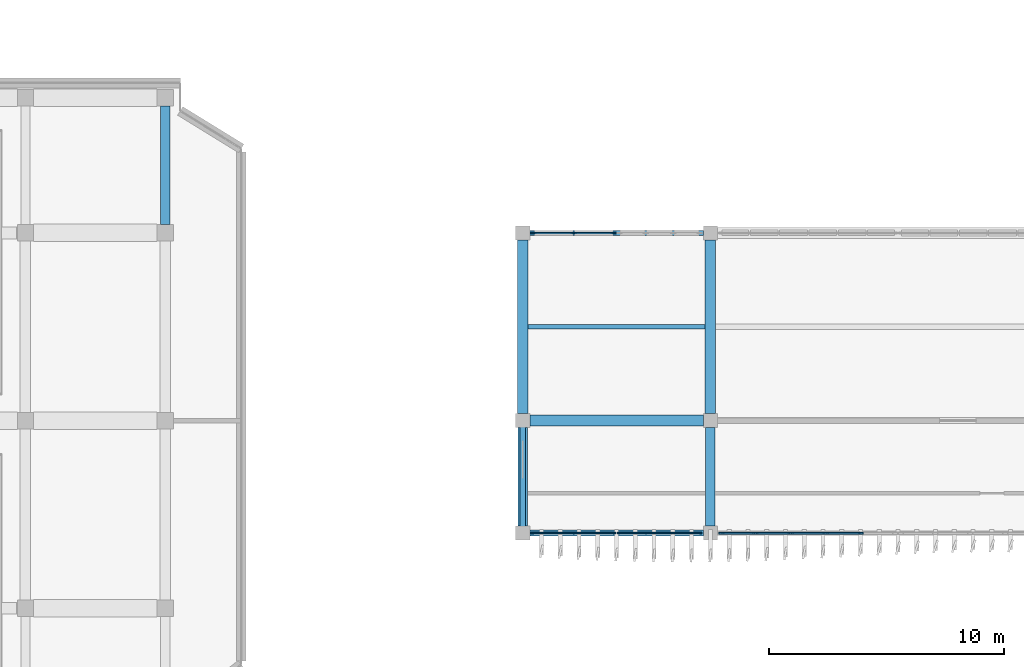
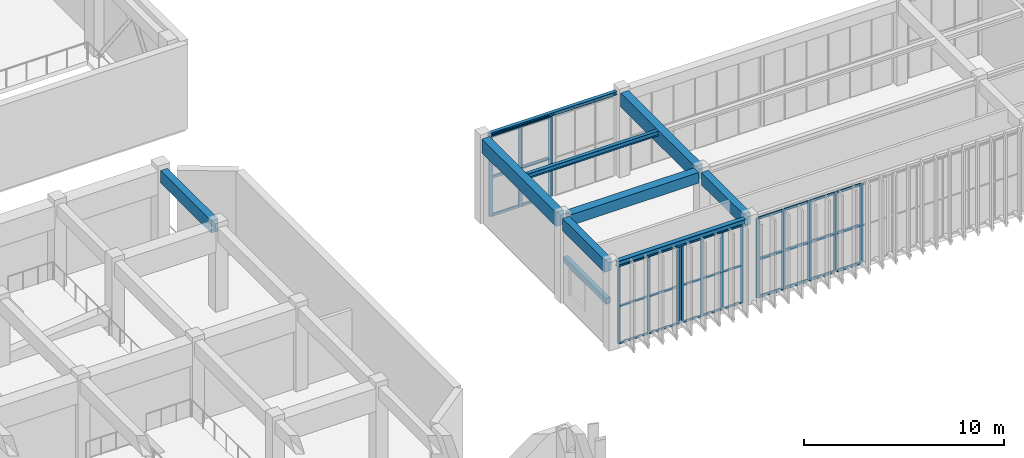
# One storey, part 9 of 64: 48 members, 10 beams, 4 elements without a shape of their own.
"""IFC4 building model written with IfcOpenShell, lengths in metres."""

from ifc_helpers import new_model, si_unit, direction, frame, origin, origin_2d, place, context, subcontext, project, spatial, rectangle, i_section, extrude, material, layer, layer_set, material_profile, profile_set, type_object, element, aggregate, save


model = new_model("IFC4")

# Units and contexts
model_context = context("Model", 3, precision=1e-05, world=origin(), true_north=direction((0.0, 1.0)))
body_context = subcontext(model_context, "Body", "Model", "MODEL_VIEW")
ifc_project = project(units=[si_unit("LENGTHUNIT", "METRE"), si_unit("AREAUNIT", "SQUARE_METRE"), si_unit("VOLUMEUNIT", "CUBIC_METRE"), si_unit("PLANEANGLEUNIT", "RADIAN"), si_unit("MASSUNIT", "GRAM", prefix="KILO")], contexts=[model_context])

# Site, building, storey
site_placement = place(None, origin())
site = spatial("IfcSite", under=ifc_project, at=site_placement, CompositionType="ELEMENT")
building_placement = place(site_placement, origin())
building = spatial("IfcBuilding", under=site, at=building_placement, Name="Cinchona Park Media Centre", CompositionType="ELEMENT")
storey_placement = place(building_placement, frame((0.0, 0.0, 10.199951171875)))
storey = spatial("IfcBuildingStorey", under=building, at=storey_placement, Name="L02", CompositionType="ELEMENT", Elevation=10.199951171875)

# Beams
ifc_material_1 = material(Name="Concrete C35/45", Category="concrete")
ifc_material_profile_1 = material_profile(ifc_material_1, rectangle(XDim=0.39990234375, YDim=0.75, at=origin_2d()), Name="RB 400X750")
ifc_profile_set_1 = profile_set([ifc_material_profile_1], Name="Concrete C35/45")
beam_type_1 = type_object("IfcBeamType", Name="BEAM-B01-RB400X750", PredefinedType="BEAM", material=ifc_profile_set_1)
beam_1_placement = place(storey_placement, frame((39.56005859375, 87.949951171875, 4.72509765625), z_axis=(0.0, 1.0, 0.0), x_axis=(-1.0, 0.0, 0.0)))
element("IfcBeam", 1, at=beam_1_placement, inside=storey, type_object=beam_type_1, Name="Girder B01 L02", PredefinedType="BEAM", context=body_context, shape_type="SweptSolid", body=[
    extrude(rectangle(XDim=0.39990234375, YDim=0.75, at=origin_2d()), origin(), (0.0, 0.0, 1.0), 5.06005859375),
])
for number, where, z_axis, x_axis, name in (
    (2, (54.800048828125, 75.10009765625, 4.78515625), (0.0, 1.0, 0.0), (-1.0, 0.0, 0.0), "Girder B01 L02"),
    (3, (62.800048828125, 75.10009765625, 4.78515625), (0.0, 1.0, 0.0), (-1.0, 0.0, 0.0), "Girder B01 L02"),
):
    element("IfcBeam", number, at=place(storey_placement, frame(where, z_axis=z_axis, x_axis=x_axis)), inside=storey, type_object=beam_type_1, Name=name, PredefinedType="BEAM", context=body_context, shape_type="SweptSolid", body=[
        extrude(rectangle(XDim=0.39990234375, YDim=0.75, at=origin_2d()), origin(), (0.0, 0.0, 1.0), 4.199951171875),
    ])
ifc_material_2 = material(Name="Concrete C35/45", Category="concrete")
ifc_material_profile_2 = material_profile(ifc_material_2, rectangle(XDim=0.449951171875, YDim=0.85009765625, at=origin_2d()), Name="RB 450X850")
ifc_profile_set_2 = profile_set([ifc_material_profile_2], Name="Concrete C35/45")
beam_type_2 = type_object("IfcBeamType", Name="BEAM-B02-RB450X850", PredefinedType="BEAM", material=ifc_profile_set_2)
for number, where, z_axis, x_axis, name in (
    (4, (54.800048828125, 79.89990234375, 4.735107421875), (0.0, 1.0, 0.0), (-1.0, 0.0, 0.0), "Girder B02 L02"),
    (5, (62.800048828125, 79.89990234375, 4.735107421875), (0.0, 1.0, 0.0), (-1.0, 0.0, 0.0), "Girder B02 L02"),
):
    element("IfcBeam", number, at=place(storey_placement, frame(where, z_axis=z_axis, x_axis=x_axis)), inside=storey, type_object=beam_type_2, Name=name, PredefinedType="BEAM", context=body_context, shape_type="SweptSolid", body=[
        extrude(rectangle(XDim=0.449951171875, YDim=0.85009765625, at=origin_2d()), origin(), (0.0, 0.0, 1.0), 7.400146484375),
    ])
ifc_material_3 = material(Name="Concrete C40/50", Category="concrete")
ifc_material_profile_3 = material_profile(ifc_material_3, rectangle(XDim=0.47998046875, YDim=0.64990234375, at=origin_2d()), Name="RB 480X650")
ifc_profile_set_3 = profile_set([ifc_material_profile_3], Name="Concrete C40/50")
beam_type_3 = type_object("IfcBeamType", Name="BEAM-B07-RB480X650", PredefinedType="BEAM", material=ifc_profile_set_3)
beam_2_placement = place(storey_placement, frame((55.10009765625, 79.60009765625, 4.8349609375), z_axis=(1.0, 0.0, 0.0), x_axis=(0.0, 1.0, 0.0)))
element("IfcBeam", 6, at=beam_2_placement, inside=storey, type_object=beam_type_3, Name="Beam B07 L02", PredefinedType="BEAM", context=body_context, shape_type="SweptSolid", body=[
    extrude(rectangle(XDim=0.47998046875, YDim=0.64990234375, at=origin_2d()), origin(), (0.0, 0.0, 1.0), 7.39990234375),
])
ifc_material_4 = material(Name="Steel S355", Category="steel")
ifc_material_profile_4 = material_profile(ifc_material_4, i_section(OverallWidth=0.257080078125, OverallDepth=0.363037109375, WebThickness=0.012939453125, FlangeThickness=0.021728515625, at=origin_2d()), Name="W360X122")
ifc_profile_set_4 = profile_set([ifc_material_profile_4], Name="Steel S355")
beam_type_4 = type_object("IfcBeamType", Name="BEAM-B08-W360X122", PredefinedType="BEAM", material=ifc_profile_set_4)
beam_3_placement = place(storey_placement, frame((55.10009765625, 74.800048828125, 4.978515625), z_axis=(1.0, 0.0, 0.0), x_axis=(0.0, 1.0, 0.0)))
element("IfcBeam", 7, at=beam_3_placement, inside=storey, type_object=beam_type_4, Name="Beam B08 L02", PredefinedType="BEAM", context=body_context, shape_type="SweptSolid", body=[
    extrude(i_section(OverallWidth=0.257080078125, OverallDepth=0.363037109375, WebThickness=0.012939453125, FlangeThickness=0.021728515625, at=origin_2d()), origin(), (0.0, 0.0, 1.0), 7.39990234375),
])
ifc_material_5 = material(Name="Steel S355", Category="steel")
ifc_material_profile_5 = material_profile(ifc_material_5, i_section(OverallWidth=0.202880859375, OverallDepth=0.202880859375, WebThickness=0.007080078125, FlangeThickness=0.010986328125, at=origin_2d()), Name="W200X46")
ifc_profile_set_5 = profile_set([ifc_material_profile_5], Name="Steel S355")
beam_type_5 = type_object("IfcBeamType", Name="BEAM-B10-W200X46", PredefinedType="BEAM", material=ifc_profile_set_5)
beam_4_placement = place(storey_placement, frame((55.10009765625, 87.60009765625, 5.05859375), z_axis=(1.0, 0.0, 0.0), x_axis=(0.0, 1.0, 0.0)))
element("IfcBeam", 8, at=beam_4_placement, inside=storey, type_object=beam_type_5, Name="Beam B10 L02", PredefinedType="BEAM", context=body_context, shape_type="SweptSolid", body=[
    extrude(i_section(OverallWidth=0.202880859375, OverallDepth=0.202880859375, WebThickness=0.007080078125, FlangeThickness=0.010986328125, at=origin_2d()), origin(), (0.0, 0.0, 1.0), 7.39990234375),
])
ifc_material_6 = material(Name="Steel S355", Category="steel")
ifc_material_profile_6 = material_profile(ifc_material_6, i_section(OverallWidth=0.202880859375, OverallDepth=0.302978515625, WebThickness=0.007568359375, FlangeThickness=0.01318359375, at=origin_2d()), Name="W310X60")
ifc_profile_set_6 = profile_set([ifc_material_profile_6], Name="Steel S355")
beam_type_6 = type_object("IfcBeamType", Name="BEAM-J03-W310X60", PredefinedType="JOIST", material=ifc_profile_set_6)
beam_5_placement = place(storey_placement, frame((55.02490234375, 83.60009765625, 5.008544921875), z_axis=(1.0, 0.0, 0.0), x_axis=(0.0, 1.0, 0.0)))
element("IfcBeam", 9, at=beam_5_placement, inside=storey, type_object=beam_type_6, Name="Floor Joist J03 L02", PredefinedType="JOIST", context=body_context, shape_type="SweptSolid", body=[
    extrude(i_section(OverallWidth=0.202880859375, OverallDepth=0.302978515625, WebThickness=0.007568359375, FlangeThickness=0.01318359375, at=origin_2d()), origin(), (0.0, 0.0, 1.0), 7.550048828125),
])
ifc_material_7 = material(Name="Concrete C35/45", Category="concrete")
ifc_material_profile_7 = material_profile(ifc_material_7, rectangle(XDim=0.25, YDim=0.35009765625, at=origin_2d()), Name="RL 250X350")
ifc_profile_set_7 = profile_set([ifc_material_profile_7], Name="Concrete C35/45")
beam_type_7 = type_object("IfcBeamType", Name="BEAM-LN01-RL250X350", PredefinedType="LINTEL", material=ifc_profile_set_7)
beam_6_placement = place(storey_placement, frame((54.800048828125, 75.080078125, 2.625), z_axis=(0.0, 1.0, 0.0), x_axis=(-1.0, 0.0, 0.0)))
element("IfcBeam", 10, at=beam_6_placement, inside=storey, type_object=beam_type_7, Name="Window Lintel LN01", PredefinedType="LINTEL", context=body_context, shape_type="SweptSolid", body=[
    extrude(rectangle(XDim=0.25, YDim=0.35009765625, at=origin_2d()), origin(), (0.0, 0.0, 1.0), 4.239990234375),
])

# Curtain wall, members
ifc_material_8 = material(Name="Aluminium Curtain Wall Framing", Category="aluminium")
ifc_layer_1 = layer(ifc_material_8, 0.22509765625)
ifc_layer_set_1 = layer_set([ifc_layer_1], Name="Aluminium Curtain Wall Framing")
curtain_wall_type_1 = type_object("IfcCurtainWallType", Name="CW-CW04", PredefinedType="USERDEFINED", material=ifc_layer_set_1)
curtain_wall_1_placement = place(storey_placement, origin())
curtain_wall_1 = element("IfcCurtainWall", 11, at=curtain_wall_1_placement, inside=storey, type_object=curtain_wall_type_1, Name="Curtain Wall CW04 L02", ObjectType="UNITISED CURTAIN WALL", PredefinedType="USERDEFINED")
ifc_material_9 = material(Name="Anodised Aluminium Alloy 6063-T6", Category="aluminium")
ifc_material_profile_8 = material_profile(ifc_material_9, rectangle(XDim=0.06494140625, YDim=0.159912109375, at=origin_2d()), Name="MUL-65X160")
ifc_profile_set_8 = profile_set([ifc_material_profile_8], Name="Anodised Aluminium Alloy 6063-T6")
member_type_1 = type_object("IfcMemberType", Name="MULLION-MUL01", PredefinedType="MULLION", material=ifc_profile_set_8)
member_1_placement = place(storey_placement, frame((62.347412109375, 74.800048828125, 0.050048828125), z_axis=(0.0, 0.0, 1.0), x_axis=(0.0, -1.0, 0.0)))
member_1 = element("IfcMember", 12, at=member_1_placement, type_object=member_type_1, Name="CW04 mullion 1", PredefinedType="MULLION", context=body_context, shape_type="SweptSolid", body=[
    extrude(rectangle(XDim=0.06494140625, YDim=0.159912109375, at=origin_2d()), origin(), (0.0, 0.0, 1.0), 4.7470703125),
])
member_2_placement = place(storey_placement, frame((61.21337890625, 74.800048828125, 0.050048828125), z_axis=(0.0, 0.0, 1.0), x_axis=(0.0, -1.0, 0.0)))
member_2 = element("IfcMember", 13, at=member_2_placement, type_object=member_type_1, Name="CW04 mullion 2", PredefinedType="MULLION", context=body_context, shape_type="SweptSolid", body=[
    extrude(rectangle(XDim=0.06494140625, YDim=0.159912109375, at=origin_2d()), origin(), (0.0, 0.0, 1.0), 4.7470703125),
])
member_3_placement = place(storey_placement, frame((60.046630859375, 74.800048828125, 0.050048828125), z_axis=(0.0, 0.0, 1.0), x_axis=(0.0, -1.0, 0.0)))
member_3 = element("IfcMember", 14, at=member_3_placement, type_object=member_type_1, Name="CW04 mullion 3", PredefinedType="MULLION", context=body_context, shape_type="SweptSolid", body=[
    extrude(rectangle(XDim=0.06494140625, YDim=0.159912109375, at=origin_2d()), origin(), (0.0, 0.0, 1.0), 4.7470703125),
])
member_4_placement = place(storey_placement, frame((58.91259765625, 74.800048828125, 0.050048828125), z_axis=(0.0, 0.0, 1.0), x_axis=(0.0, -1.0, 0.0)))
member_4 = element("IfcMember", 15, at=member_4_placement, type_object=member_type_1, Name="CW04 mullion 4", PredefinedType="MULLION", context=body_context, shape_type="SweptSolid", body=[
    extrude(rectangle(XDim=0.06494140625, YDim=0.159912109375, at=origin_2d()), origin(), (0.0, 0.0, 1.0), 4.7470703125),
])

ifc_material_10 = material(Name="Aluminium Curtain Wall Framing", Category="aluminium")
ifc_layer_2 = layer(ifc_material_10, 0.239990234375)
ifc_layer_set_2 = layer_set([ifc_layer_2], Name="Aluminium Curtain Wall Framing")
curtain_wall_type_2 = type_object("IfcCurtainWallType", Name="CW-CW05", PredefinedType="USERDEFINED", material=ifc_layer_set_2)
curtain_wall_2_placement = place(storey_placement, origin())
curtain_wall_2 = element("IfcCurtainWall", 16, at=curtain_wall_2_placement, inside=storey, type_object=curtain_wall_type_2, Name="Curtain Wall CW05 L02", ObjectType="UNITISED CURTAIN WALL", PredefinedType="USERDEFINED")
member_5_placement = place(storey_placement, frame((58.6875, 74.800048828125, 0.050048828125), z_axis=(0.0, 0.0, 1.0), x_axis=(0.0, -1.0, 0.0)))
member_5 = element("IfcMember", 17, at=member_5_placement, type_object=member_type_1, Name="CW05 mullion 1", PredefinedType="MULLION", context=body_context, shape_type="SweptSolid", body=[
    extrude(rectangle(XDim=0.06494140625, YDim=0.159912109375, at=origin_2d()), origin(), (0.0, 0.0, 1.0), 4.7470703125),
])
member_6_placement = place(storey_placement, frame((56.969970703125, 74.800048828125, 0.050048828125), z_axis=(0.0, 0.0, 1.0), x_axis=(0.0, -1.0, 0.0)))
member_6 = element("IfcMember", 18, at=member_6_placement, type_object=member_type_1, Name="CW05 mullion 2", PredefinedType="MULLION", context=body_context, shape_type="SweptSolid", body=[
    extrude(rectangle(XDim=0.06494140625, YDim=0.159912109375, at=origin_2d()), origin(), (0.0, 0.0, 1.0), 4.7470703125),
])
member_7_placement = place(storey_placement, frame((55.25244140625, 74.800048828125, 0.050048828125), z_axis=(0.0, 0.0, 1.0), x_axis=(0.0, -1.0, 0.0)))
member_7 = element("IfcMember", 19, at=member_7_placement, type_object=member_type_1, Name="CW05 mullion 3", PredefinedType="MULLION", context=body_context, shape_type="SweptSolid", body=[
    extrude(rectangle(XDim=0.06494140625, YDim=0.159912109375, at=origin_2d()), origin(), (0.0, 0.0, 1.0), 4.7470703125),
])

ifc_material_11 = material(Name="Aluminium Curtain Wall Framing", Category="aluminium")
ifc_layer_3 = layer(ifc_material_11, 0.300048828125)
ifc_layer_set_3 = layer_set([ifc_layer_3], Name="Aluminium Curtain Wall Framing")
curtain_wall_type_3 = type_object("IfcCurtainWallType", Name="CW-CW09", PredefinedType="USERDEFINED", material=ifc_layer_set_3)
curtain_wall_3_placement = place(storey_placement, origin())
curtain_wall_3 = element("IfcCurtainWall", 20, at=curtain_wall_3_placement, inside=storey, type_object=curtain_wall_type_3, Name="Curtain Wall CW09 L02", ObjectType="UNITISED CURTAIN WALL", PredefinedType="USERDEFINED")
ifc_material_12 = material(Name="Anodised Aluminium Alloy 6063-T6", Category="aluminium")
ifc_material_profile_9 = material_profile(ifc_material_12, rectangle(XDim=0.074951171875, YDim=0.2099609375, at=origin_2d()), Name="MUL-75X210")
ifc_profile_set_9 = profile_set([ifc_material_profile_9], Name="Anodised Aluminium Alloy 6063-T6")
member_type_2 = type_object("IfcMemberType", Name="MULLION-MUL03", PredefinedType="MULLION", material=ifc_profile_set_9)
member_8_placement = place(storey_placement, frame((55.257568359375, 87.60009765625, 0.050048828125), z_axis=(0.0, 0.0, 1.0), x_axis=(0.0, 1.0, 0.0)))
member_8 = element("IfcMember", 21, at=member_8_placement, type_object=member_type_2, Name="CW09 mullion 1", PredefinedType="MULLION", context=body_context, shape_type="SweptSolid", body=[
    extrude(rectangle(XDim=0.074951171875, YDim=0.2099609375, at=origin_2d()), origin(), (0.0, 0.0, 1.0), 4.906982421875),
])
member_9_placement = place(storey_placement, frame((56.969970703125, 87.60009765625, 0.050048828125), z_axis=(0.0, 0.0, 1.0), x_axis=(0.0, 1.0, 0.0)))
member_9 = element("IfcMember", 22, at=member_9_placement, type_object=member_type_2, Name="CW09 mullion 2", PredefinedType="MULLION", context=body_context, shape_type="SweptSolid", body=[
    extrude(rectangle(XDim=0.074951171875, YDim=0.2099609375, at=origin_2d()), origin(), (0.0, 0.0, 1.0), 4.906982421875),
])
member_10_placement = place(storey_placement, frame((58.6826171875, 87.60009765625, 0.050048828125), z_axis=(0.0, 0.0, 1.0), x_axis=(0.0, 1.0, 0.0)))
member_10 = element("IfcMember", 23, at=member_10_placement, type_object=member_type_2, Name="CW09 mullion 3", PredefinedType="MULLION", context=body_context, shape_type="SweptSolid", body=[
    extrude(rectangle(XDim=0.074951171875, YDim=0.2099609375, at=origin_2d()), origin(), (0.0, 0.0, 1.0), 4.906982421875),
])

ifc_material_13 = material(Name="Aluminium Curtain Wall Framing", Category="aluminium")
ifc_layer_4 = layer(ifc_material_13, 0.27001953125)
ifc_layer_set_4 = layer_set([ifc_layer_4], Name="Aluminium Curtain Wall Framing")
curtain_wall_type_4 = type_object("IfcCurtainWallType", Name="CW-CW07", PredefinedType="USERDEFINED", material=ifc_layer_set_4)
curtain_wall_4_placement = place(storey_placement, origin())
curtain_wall_4 = element("IfcCurtainWall", 24, at=curtain_wall_4_placement, inside=storey, type_object=curtain_wall_type_4, Name="Curtain Wall CW07 L02", ObjectType="UNITISED CURTAIN WALL", PredefinedType="USERDEFINED")
member_11_placement = place(storey_placement, frame((69.219970703125, 74.800048828125, 0.050048828125), z_axis=(0.0, 0.0, 1.0), x_axis=(0.0, -1.0, 0.0)))
member_11 = element("IfcMember", 25, at=member_11_placement, type_object=member_type_2, Name="CW07 mullion 2", PredefinedType="MULLION", context=body_context, shape_type="SweptSolid", body=[
    extrude(rectangle(XDim=0.074951171875, YDim=0.2099609375, at=origin_2d()), origin(), (0.0, 0.0, 1.0), 4.85791015625),
])
member_12_placement = place(storey_placement, frame((67.719970703125, 74.800048828125, 0.050048828125), z_axis=(0.0, 0.0, 1.0), x_axis=(0.0, -1.0, 0.0)))
member_12 = element("IfcMember", 26, at=member_12_placement, type_object=member_type_2, Name="CW07 mullion 3", PredefinedType="MULLION", context=body_context, shape_type="SweptSolid", body=[
    extrude(rectangle(XDim=0.074951171875, YDim=0.2099609375, at=origin_2d()), origin(), (0.0, 0.0, 1.0), 4.85791015625),
])
member_13_placement = place(storey_placement, frame((66.219970703125, 74.800048828125, 0.050048828125), z_axis=(0.0, 0.0, 1.0), x_axis=(0.0, -1.0, 0.0)))
member_13 = element("IfcMember", 27, at=member_13_placement, type_object=member_type_2, Name="CW07 mullion 4", PredefinedType="MULLION", context=body_context, shape_type="SweptSolid", body=[
    extrude(rectangle(XDim=0.074951171875, YDim=0.2099609375, at=origin_2d()), origin(), (0.0, 0.0, 1.0), 4.85791015625),
])
member_14_placement = place(storey_placement, frame((64.719970703125, 74.800048828125, 0.050048828125), z_axis=(0.0, 0.0, 1.0), x_axis=(0.0, -1.0, 0.0)))
member_14 = element("IfcMember", 28, at=member_14_placement, type_object=member_type_2, Name="CW07 mullion 5", PredefinedType="MULLION", context=body_context, shape_type="SweptSolid", body=[
    extrude(rectangle(XDim=0.074951171875, YDim=0.2099609375, at=origin_2d()), origin(), (0.0, 0.0, 1.0), 4.85791015625),
])
member_15_placement = place(storey_placement, frame((63.257568359375, 74.800048828125, 0.050048828125), z_axis=(0.0, 0.0, 1.0), x_axis=(0.0, -1.0, 0.0)))
member_15 = element("IfcMember", 29, at=member_15_placement, type_object=member_type_2, Name="CW07 mullion 6", PredefinedType="MULLION", context=body_context, shape_type="SweptSolid", body=[
    extrude(rectangle(XDim=0.074951171875, YDim=0.2099609375, at=origin_2d()), origin(), (0.0, 0.0, 1.0), 4.85791015625),
])

# Member
ifc_material_14 = material(Name="Anodised Aluminium Alloy 6063-T6", Category="aluminium")
ifc_material_profile_10 = material_profile(ifc_material_14, rectangle(XDim=0.06494140625, YDim=0.1201171875, at=origin_2d()), Name="TRN-65X120")
ifc_profile_set_10 = profile_set([ifc_material_profile_10], Name="Anodised Aluminium Alloy 6063-T6")
member_type_3 = type_object("IfcMemberType", Name="TRANSOM-TRN01", PredefinedType="USERDEFINED", material=ifc_profile_set_10)
member_16_placement = place(storey_placement, frame((62.31494140625, 74.800048828125, 0.08251953125), z_axis=(-1.0, 0.0, 0.0), x_axis=(0.0, -1.0, 0.0)))
member_16 = element("IfcMember", 30, at=member_16_placement, type_object=member_type_3, Name="CW04 transom 1.1", ObjectType="TRANSOM", PredefinedType="USERDEFINED", context=body_context, shape_type="SweptSolid", body=[
    extrude(rectangle(XDim=0.06494140625, YDim=0.1201171875, at=origin_2d()), origin(), (0.0, 0.0, 1.0), 1.069091796875),
])

member_17_placement = place(storey_placement, frame((62.31494140625, 74.800048828125, 2.3291015625), z_axis=(-1.0, 0.0, 0.0), x_axis=(0.0, -1.0, 0.0)))
member_17 = element("IfcMember", 31, at=member_17_placement, type_object=member_type_3, Name="CW04 transom 1.2", ObjectType="TRANSOM", PredefinedType="USERDEFINED", context=body_context, shape_type="SweptSolid", body=[
    extrude(rectangle(XDim=0.06494140625, YDim=0.1201171875, at=origin_2d()), origin(), (0.0, 0.0, 1.0), 1.069091796875),
])

member_18_placement = place(storey_placement, frame((62.31494140625, 74.800048828125, 4.7646484375), z_axis=(-1.0, 0.0, 0.0), x_axis=(0.0, -1.0, 0.0)))
member_18 = element("IfcMember", 32, at=member_18_placement, type_object=member_type_3, Name="CW04 transom 1.3", ObjectType="TRANSOM", PredefinedType="USERDEFINED", context=body_context, shape_type="SweptSolid", body=[
    extrude(rectangle(XDim=0.06494140625, YDim=0.1201171875, at=origin_2d()), origin(), (0.0, 0.0, 1.0), 1.069091796875),
])

member_19_placement = place(storey_placement, frame((61.180908203125, 74.800048828125, 0.08251953125), z_axis=(-1.0, 0.0, 0.0), x_axis=(0.0, -1.0, 0.0)))
member_19 = element("IfcMember", 33, at=member_19_placement, type_object=member_type_3, Name="CW04 transom 2.1", ObjectType="TRANSOM", PredefinedType="USERDEFINED", context=body_context, shape_type="SweptSolid", body=[
    extrude(rectangle(XDim=0.06494140625, YDim=0.1201171875, at=origin_2d()), origin(), (0.0, 0.0, 1.0), 1.101806640625),
])

member_20_placement = place(storey_placement, frame((61.180908203125, 74.800048828125, 2.3291015625), z_axis=(-1.0, 0.0, 0.0), x_axis=(0.0, -1.0, 0.0)))
member_20 = element("IfcMember", 34, at=member_20_placement, type_object=member_type_3, Name="CW04 transom 2.2", ObjectType="TRANSOM", PredefinedType="USERDEFINED", context=body_context, shape_type="SweptSolid", body=[
    extrude(rectangle(XDim=0.06494140625, YDim=0.1201171875, at=origin_2d()), origin(), (0.0, 0.0, 1.0), 1.101806640625),
])

member_21_placement = place(storey_placement, frame((61.180908203125, 74.800048828125, 4.7646484375), z_axis=(-1.0, 0.0, 0.0), x_axis=(0.0, -1.0, 0.0)))
member_21 = element("IfcMember", 35, at=member_21_placement, type_object=member_type_3, Name="CW04 transom 2.3", ObjectType="TRANSOM", PredefinedType="USERDEFINED", context=body_context, shape_type="SweptSolid", body=[
    extrude(rectangle(XDim=0.06494140625, YDim=0.1201171875, at=origin_2d()), origin(), (0.0, 0.0, 1.0), 1.101806640625),
])

member_22_placement = place(storey_placement, frame((60.01416015625, 74.800048828125, 0.08251953125), z_axis=(-1.0, 0.0, 0.0), x_axis=(0.0, -1.0, 0.0)))
member_22 = element("IfcMember", 36, at=member_22_placement, type_object=member_type_3, Name="CW04 transom 3.1", ObjectType="TRANSOM", PredefinedType="USERDEFINED", context=body_context, shape_type="SweptSolid", body=[
    extrude(rectangle(XDim=0.06494140625, YDim=0.1201171875, at=origin_2d()), origin(), (0.0, 0.0, 1.0), 1.069091796875),
])

member_23_placement = place(storey_placement, frame((60.01416015625, 74.800048828125, 2.3291015625), z_axis=(-1.0, 0.0, 0.0), x_axis=(0.0, -1.0, 0.0)))
member_23 = element("IfcMember", 37, at=member_23_placement, type_object=member_type_3, Name="CW04 transom 3.2", ObjectType="TRANSOM", PredefinedType="USERDEFINED", context=body_context, shape_type="SweptSolid", body=[
    extrude(rectangle(XDim=0.06494140625, YDim=0.1201171875, at=origin_2d()), origin(), (0.0, 0.0, 1.0), 1.069091796875),
])

member_24_placement = place(storey_placement, frame((60.01416015625, 74.800048828125, 4.7646484375), z_axis=(-1.0, 0.0, 0.0), x_axis=(0.0, -1.0, 0.0)))
member_24 = element("IfcMember", 38, at=member_24_placement, type_object=member_type_3, Name="CW04 transom 3.3", ObjectType="TRANSOM", PredefinedType="USERDEFINED", context=body_context, shape_type="SweptSolid", body=[
    extrude(rectangle(XDim=0.06494140625, YDim=0.1201171875, at=origin_2d()), origin(), (0.0, 0.0, 1.0), 1.069091796875),
])

aggregate(curtain_wall_1, [member_1, member_2, member_3, member_4, member_16, member_17, member_18, member_19, member_20, member_21, member_22, member_23, member_24])

member_25_placement = place(storey_placement, frame((58.655029296875, 74.800048828125, 0.08251953125), z_axis=(-1.0, 0.0, 0.0), x_axis=(0.0, -1.0, 0.0)))
member_25 = element("IfcMember", 39, at=member_25_placement, type_object=member_type_3, Name="CW05 transom 1.1", ObjectType="TRANSOM", PredefinedType="USERDEFINED", context=body_context, shape_type="SweptSolid", body=[
    extrude(rectangle(XDim=0.06494140625, YDim=0.1201171875, at=origin_2d()), origin(), (0.0, 0.0, 1.0), 1.652587890625),
])

member_26_placement = place(storey_placement, frame((58.655029296875, 74.800048828125, 2.3291015625), z_axis=(-1.0, 0.0, 0.0), x_axis=(0.0, -1.0, 0.0)))
member_26 = element("IfcMember", 40, at=member_26_placement, type_object=member_type_3, Name="CW05 transom 1.2", ObjectType="TRANSOM", PredefinedType="USERDEFINED", context=body_context, shape_type="SweptSolid", body=[
    extrude(rectangle(XDim=0.06494140625, YDim=0.1201171875, at=origin_2d()), origin(), (0.0, 0.0, 1.0), 1.652587890625),
])

member_27_placement = place(storey_placement, frame((58.655029296875, 74.800048828125, 4.7646484375), z_axis=(-1.0, 0.0, 0.0), x_axis=(0.0, -1.0, 0.0)))
member_27 = element("IfcMember", 41, at=member_27_placement, type_object=member_type_3, Name="CW05 transom 1.3", ObjectType="TRANSOM", PredefinedType="USERDEFINED", context=body_context, shape_type="SweptSolid", body=[
    extrude(rectangle(XDim=0.06494140625, YDim=0.1201171875, at=origin_2d()), origin(), (0.0, 0.0, 1.0), 1.652587890625),
])

member_28_placement = place(storey_placement, frame((56.9375, 74.800048828125, 0.08251953125), z_axis=(-1.0, 0.0, 0.0), x_axis=(0.0, -1.0, 0.0)))
member_28 = element("IfcMember", 42, at=member_28_placement, type_object=member_type_3, Name="CW05 transom 2.1", ObjectType="TRANSOM", PredefinedType="USERDEFINED", context=body_context, shape_type="SweptSolid", body=[
    extrude(rectangle(XDim=0.06494140625, YDim=0.1201171875, at=origin_2d()), origin(), (0.0, 0.0, 1.0), 1.652587890625),
])

member_29_placement = place(storey_placement, frame((56.9375, 74.800048828125, 2.3291015625), z_axis=(-1.0, 0.0, 0.0), x_axis=(0.0, -1.0, 0.0)))
member_29 = element("IfcMember", 43, at=member_29_placement, type_object=member_type_3, Name="CW05 transom 2.2", ObjectType="TRANSOM", PredefinedType="USERDEFINED", context=body_context, shape_type="SweptSolid", body=[
    extrude(rectangle(XDim=0.06494140625, YDim=0.1201171875, at=origin_2d()), origin(), (0.0, 0.0, 1.0), 1.652587890625),
])

member_30_placement = place(storey_placement, frame((56.9375, 74.800048828125, 4.7646484375), z_axis=(-1.0, 0.0, 0.0), x_axis=(0.0, -1.0, 0.0)))
member_30 = element("IfcMember", 44, at=member_30_placement, type_object=member_type_3, Name="CW05 transom 2.3", ObjectType="TRANSOM", PredefinedType="USERDEFINED", context=body_context, shape_type="SweptSolid", body=[
    extrude(rectangle(XDim=0.06494140625, YDim=0.1201171875, at=origin_2d()), origin(), (0.0, 0.0, 1.0), 1.652587890625),
])

aggregate(curtain_wall_2, [member_5, member_6, member_7, member_25, member_26, member_27, member_28, member_29, member_30])

ifc_material_15 = material(Name="Anodised Aluminium Alloy 6063-T6", Category="aluminium")
ifc_material_profile_11 = material_profile(ifc_material_15, rectangle(XDim=0.074951171875, YDim=0.159912109375, at=origin_2d()), Name="TRN-75X160")
ifc_profile_set_11 = profile_set([ifc_material_profile_11], Name="Anodised Aluminium Alloy 6063-T6")
member_type_4 = type_object("IfcMemberType", Name="TRANSOM-TRN03", PredefinedType="USERDEFINED", material=ifc_profile_set_11)
member_31_placement = place(storey_placement, frame((55.294921875, 87.60009765625, 0.087646484375), z_axis=(1.0, 0.0, 0.0), x_axis=(0.0, 1.0, 0.0)))
member_31 = element("IfcMember", 45, at=member_31_placement, type_object=member_type_4, Name="CW09 transom 1.1", ObjectType="TRANSOM", PredefinedType="USERDEFINED", context=body_context, shape_type="SweptSolid", body=[
    extrude(rectangle(XDim=0.074951171875, YDim=0.159912109375, at=origin_2d()), origin(), (0.0, 0.0, 1.0), 1.6376953125),
])

member_32_placement = place(storey_placement, frame((55.294921875, 87.60009765625, 2.405029296875), z_axis=(1.0, 0.0, 0.0), x_axis=(0.0, 1.0, 0.0)))
member_32 = element("IfcMember", 46, at=member_32_placement, type_object=member_type_4, Name="CW09 transom 1.2", ObjectType="TRANSOM", PredefinedType="USERDEFINED", context=body_context, shape_type="SweptSolid", body=[
    extrude(rectangle(XDim=0.074951171875, YDim=0.159912109375, at=origin_2d()), origin(), (0.0, 0.0, 1.0), 1.6376953125),
])

member_33_placement = place(storey_placement, frame((55.294921875, 87.60009765625, 4.91943359375), z_axis=(1.0, 0.0, 0.0), x_axis=(0.0, 1.0, 0.0)))
member_33 = element("IfcMember", 47, at=member_33_placement, type_object=member_type_4, Name="CW09 transom 1.3", ObjectType="TRANSOM", PredefinedType="USERDEFINED", context=body_context, shape_type="SweptSolid", body=[
    extrude(rectangle(XDim=0.074951171875, YDim=0.159912109375, at=origin_2d()), origin(), (0.0, 0.0, 1.0), 1.6376953125),
])

member_34_placement = place(storey_placement, frame((57.007568359375, 87.60009765625, 0.087646484375), z_axis=(1.0, 0.0, 0.0), x_axis=(0.0, 1.0, 0.0)))
member_34 = element("IfcMember", 48, at=member_34_placement, type_object=member_type_4, Name="CW09 transom 2.1", ObjectType="TRANSOM", PredefinedType="USERDEFINED", context=body_context, shape_type="SweptSolid", body=[
    extrude(rectangle(XDim=0.074951171875, YDim=0.159912109375, at=origin_2d()), origin(), (0.0, 0.0, 1.0), 1.637451171875),
])

member_35_placement = place(storey_placement, frame((57.007568359375, 87.60009765625, 2.405029296875), z_axis=(1.0, 0.0, 0.0), x_axis=(0.0, 1.0, 0.0)))
member_35 = element("IfcMember", 49, at=member_35_placement, type_object=member_type_4, Name="CW09 transom 2.2", ObjectType="TRANSOM", PredefinedType="USERDEFINED", context=body_context, shape_type="SweptSolid", body=[
    extrude(rectangle(XDim=0.074951171875, YDim=0.159912109375, at=origin_2d()), origin(), (0.0, 0.0, 1.0), 1.637451171875),
])

member_36_placement = place(storey_placement, frame((57.007568359375, 87.60009765625, 4.91943359375), z_axis=(1.0, 0.0, 0.0), x_axis=(0.0, 1.0, 0.0)))
member_36 = element("IfcMember", 50, at=member_36_placement, type_object=member_type_4, Name="CW09 transom 2.3", ObjectType="TRANSOM", PredefinedType="USERDEFINED", context=body_context, shape_type="SweptSolid", body=[
    extrude(rectangle(XDim=0.074951171875, YDim=0.159912109375, at=origin_2d()), origin(), (0.0, 0.0, 1.0), 1.637451171875),
])

aggregate(curtain_wall_3, [member_8, member_9, member_10, member_31, member_32, member_33, member_34, member_35, member_36])

member_37_placement = place(storey_placement, frame((69.1826171875, 74.800048828125, 0.087646484375), z_axis=(-1.0, 0.0, 0.0), x_axis=(0.0, -1.0, 0.0)))
member_37 = element("IfcMember", 51, at=member_37_placement, type_object=member_type_4, Name="CW07 transom 2.1", ObjectType="TRANSOM", PredefinedType="USERDEFINED", context=body_context, shape_type="SweptSolid", body=[
    extrude(rectangle(XDim=0.074951171875, YDim=0.159912109375, at=origin_2d()), origin(), (0.0, 0.0, 1.0), 1.425048828125),
])

member_38_placement = place(storey_placement, frame((69.1826171875, 74.800048828125, 2.382080078125), z_axis=(-1.0, 0.0, 0.0), x_axis=(0.0, -1.0, 0.0)))
member_38 = element("IfcMember", 52, at=member_38_placement, type_object=member_type_4, Name="CW07 transom 2.2", ObjectType="TRANSOM", PredefinedType="USERDEFINED", context=body_context, shape_type="SweptSolid", body=[
    extrude(rectangle(XDim=0.074951171875, YDim=0.159912109375, at=origin_2d()), origin(), (0.0, 0.0, 1.0), 1.425048828125),
])

member_39_placement = place(storey_placement, frame((69.1826171875, 74.800048828125, 4.87060546875), z_axis=(-1.0, 0.0, 0.0), x_axis=(0.0, -1.0, 0.0)))
member_39 = element("IfcMember", 53, at=member_39_placement, type_object=member_type_4, Name="CW07 transom 2.3", ObjectType="TRANSOM", PredefinedType="USERDEFINED", context=body_context, shape_type="SweptSolid", body=[
    extrude(rectangle(XDim=0.074951171875, YDim=0.159912109375, at=origin_2d()), origin(), (0.0, 0.0, 1.0), 1.425048828125),
])

member_40_placement = place(storey_placement, frame((67.6826171875, 74.800048828125, 0.087646484375), z_axis=(-1.0, 0.0, 0.0), x_axis=(0.0, -1.0, 0.0)))
member_40 = element("IfcMember", 54, at=member_40_placement, type_object=member_type_4, Name="CW07 transom 3.1", ObjectType="TRANSOM", PredefinedType="USERDEFINED", context=body_context, shape_type="SweptSolid", body=[
    extrude(rectangle(XDim=0.074951171875, YDim=0.159912109375, at=origin_2d()), origin(), (0.0, 0.0, 1.0), 1.425048828125),
])

member_41_placement = place(storey_placement, frame((67.6826171875, 74.800048828125, 2.382080078125), z_axis=(-1.0, 0.0, 0.0), x_axis=(0.0, -1.0, 0.0)))
member_41 = element("IfcMember", 55, at=member_41_placement, type_object=member_type_4, Name="CW07 transom 3.2", ObjectType="TRANSOM", PredefinedType="USERDEFINED", context=body_context, shape_type="SweptSolid", body=[
    extrude(rectangle(XDim=0.074951171875, YDim=0.159912109375, at=origin_2d()), origin(), (0.0, 0.0, 1.0), 1.425048828125),
])

member_42_placement = place(storey_placement, frame((67.6826171875, 74.800048828125, 4.87060546875), z_axis=(-1.0, 0.0, 0.0), x_axis=(0.0, -1.0, 0.0)))
member_42 = element("IfcMember", 56, at=member_42_placement, type_object=member_type_4, Name="CW07 transom 3.3", ObjectType="TRANSOM", PredefinedType="USERDEFINED", context=body_context, shape_type="SweptSolid", body=[
    extrude(rectangle(XDim=0.074951171875, YDim=0.159912109375, at=origin_2d()), origin(), (0.0, 0.0, 1.0), 1.425048828125),
])

member_43_placement = place(storey_placement, frame((66.1826171875, 74.800048828125, 0.087646484375), z_axis=(-1.0, 0.0, 0.0), x_axis=(0.0, -1.0, 0.0)))
member_43 = element("IfcMember", 57, at=member_43_placement, type_object=member_type_4, Name="CW07 transom 4.1", ObjectType="TRANSOM", PredefinedType="USERDEFINED", context=body_context, shape_type="SweptSolid", body=[
    extrude(rectangle(XDim=0.074951171875, YDim=0.159912109375, at=origin_2d()), origin(), (0.0, 0.0, 1.0), 1.425048828125),
])

member_44_placement = place(storey_placement, frame((66.1826171875, 74.800048828125, 2.382080078125), z_axis=(-1.0, 0.0, 0.0), x_axis=(0.0, -1.0, 0.0)))
member_44 = element("IfcMember", 58, at=member_44_placement, type_object=member_type_4, Name="CW07 transom 4.2", ObjectType="TRANSOM", PredefinedType="USERDEFINED", context=body_context, shape_type="SweptSolid", body=[
    extrude(rectangle(XDim=0.074951171875, YDim=0.159912109375, at=origin_2d()), origin(), (0.0, 0.0, 1.0), 1.425048828125),
])

member_45_placement = place(storey_placement, frame((66.1826171875, 74.800048828125, 4.87060546875), z_axis=(-1.0, 0.0, 0.0), x_axis=(0.0, -1.0, 0.0)))
member_45 = element("IfcMember", 59, at=member_45_placement, type_object=member_type_4, Name="CW07 transom 4.3", ObjectType="TRANSOM", PredefinedType="USERDEFINED", context=body_context, shape_type="SweptSolid", body=[
    extrude(rectangle(XDim=0.074951171875, YDim=0.159912109375, at=origin_2d()), origin(), (0.0, 0.0, 1.0), 1.425048828125),
])

member_46_placement = place(storey_placement, frame((64.6826171875, 74.800048828125, 0.087646484375), z_axis=(-1.0, 0.0, 0.0), x_axis=(0.0, -1.0, 0.0)))
member_46 = element("IfcMember", 60, at=member_46_placement, type_object=member_type_4, Name="CW07 transom 5.1", ObjectType="TRANSOM", PredefinedType="USERDEFINED", context=body_context, shape_type="SweptSolid", body=[
    extrude(rectangle(XDim=0.074951171875, YDim=0.159912109375, at=origin_2d()), origin(), (0.0, 0.0, 1.0), 1.3876953125),
])

member_47_placement = place(storey_placement, frame((64.6826171875, 74.800048828125, 2.382080078125), z_axis=(-1.0, 0.0, 0.0), x_axis=(0.0, -1.0, 0.0)))
member_47 = element("IfcMember", 61, at=member_47_placement, type_object=member_type_4, Name="CW07 transom 5.2", ObjectType="TRANSOM", PredefinedType="USERDEFINED", context=body_context, shape_type="SweptSolid", body=[
    extrude(rectangle(XDim=0.074951171875, YDim=0.159912109375, at=origin_2d()), origin(), (0.0, 0.0, 1.0), 1.3876953125),
])

member_48_placement = place(storey_placement, frame((64.6826171875, 74.800048828125, 4.87060546875), z_axis=(-1.0, 0.0, 0.0), x_axis=(0.0, -1.0, 0.0)))
member_48 = element("IfcMember", 62, at=member_48_placement, type_object=member_type_4, Name="CW07 transom 5.3", ObjectType="TRANSOM", PredefinedType="USERDEFINED", context=body_context, shape_type="SweptSolid", body=[
    extrude(rectangle(XDim=0.074951171875, YDim=0.159912109375, at=origin_2d()), origin(), (0.0, 0.0, 1.0), 1.3876953125),
])

aggregate(curtain_wall_4, [member_11, member_12, member_13, member_14, member_15, member_37, member_38, member_39, member_40, member_41, member_42, member_43, member_44, member_45, member_46, member_47, member_48])

save(model, "model.ifc")
